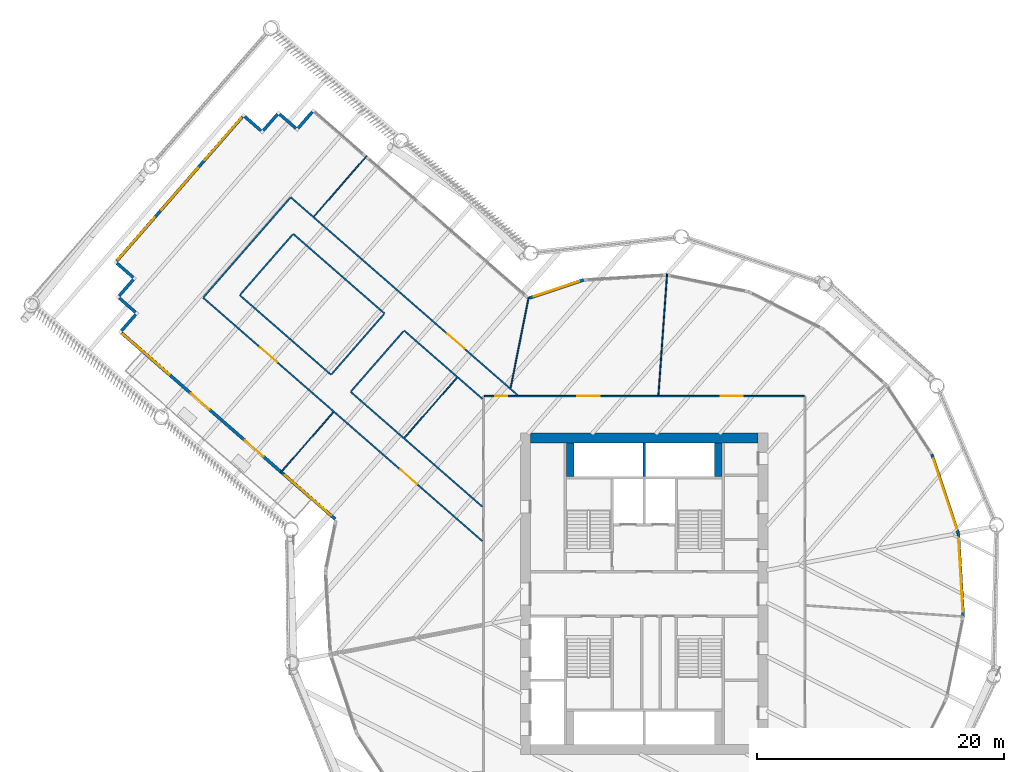
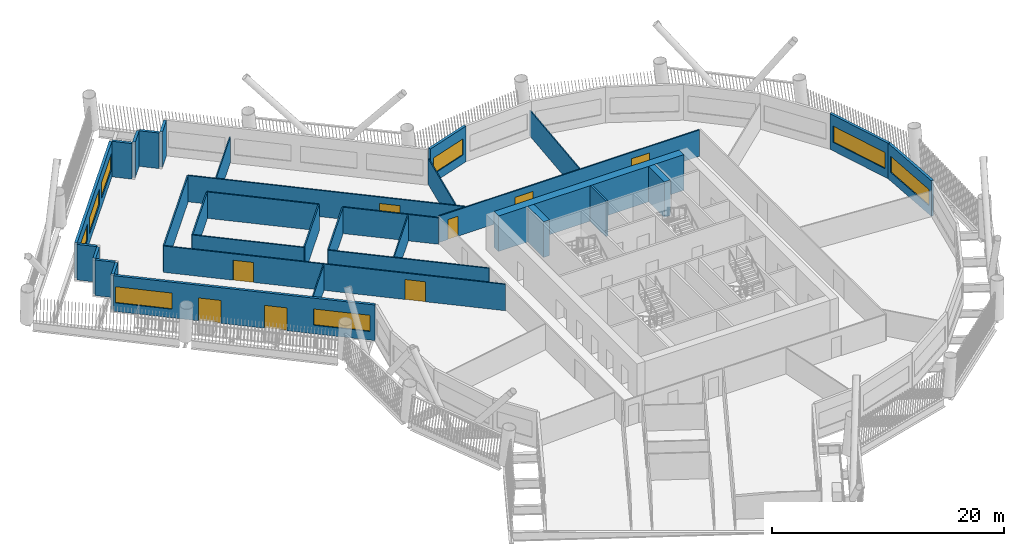
# One storey, part 6 of 21: 33 walls, 8 doors, 8 windows, 16 openings.
"""IFC4 building model written with IfcOpenShell, lengths in metres."""

from ifc_helpers import new_model, si_unit, direction, frame, frame_2d, origin, place, context, subcontext, project, spatial, rectangle, extrude, material, layer, layer_set, type_object, element, fill, save


model = new_model("IFC4")

# Units and contexts
model_context = context("Model", 3, precision=1e-05, world=origin(), true_north=direction((0.0, 1.0)))
body_context = subcontext(model_context, "Body", "Model", "MODEL_VIEW")
ifc_project = project(units=[si_unit("LENGTHUNIT", "METRE"), si_unit("AREAUNIT", "SQUARE_METRE"), si_unit("VOLUMEUNIT", "CUBIC_METRE"), si_unit("PLANEANGLEUNIT", "RADIAN"), si_unit("MASSUNIT", "GRAM", prefix="KILO")], contexts=[model_context])

# Site, building, storey
site_placement = place(None, origin())
site = spatial("IfcSite", under=ifc_project, at=site_placement, CompositionType="ELEMENT")
building_placement = place(site_placement, origin())
building = spatial("IfcBuilding", under=site, at=building_placement, Name="Tarsis Ring Headquarters", CompositionType="ELEMENT")
storey_placement = place(building_placement, frame((0.0, 0.0, 100.60009765625)))
storey = spatial("IfcBuildingStorey", under=building, at=storey_placement, Name="L22", CompositionType="ELEMENT", Elevation=100.60009765625)

# Walls
ifc_material_1 = material(Name="Concrete C60/75", Category="concrete")
ifc_layer_1 = layer(ifc_material_1, 0.800048828125)
ifc_layer_set_1 = layer_set([ifc_layer_1], Name="Core wall 800 C60/75")
wall_type_1 = type_object("IfcWallType", Name="Core wall 800 C60/75", PredefinedType="SHEAR", material=ifc_layer_set_1)
wall_1_placement = place(storey_placement, frame((-9.199951171875, 12.60009765625, 0.0), z_axis=(0.0, 0.0, 1.0), x_axis=(1.0, 0.0, 0.0)))
element("IfcWall", 1, at=wall_1_placement, inside=storey, type_object=wall_type_1, Name="Core wall ON", PredefinedType="SHEAR", context=body_context, shape_type="SweptSolid", body=[
    extrude(rectangle(XDim=18.39990234375, YDim=0.800048828125, at=frame_2d((9.199951171875, 0.0))), origin(), (0.0, 0.0, 1.0), 3.739990234375),
])
ifc_material_2 = material(Name="Gypsum board on steel studs", Category="steel")
ifc_layer_2 = layer(ifc_material_2, 0.10009765625)
ifc_layer_set_2 = layer_set([ifc_layer_2], Name="FL partition 100 unrated")
wall_type_2 = type_object("IfcWallType", Name="FL partition 100 unrated", PredefinedType="PARTITIONING", material=ifc_layer_set_2)
wall_2_placement = place(storey_placement, frame((1.146240234375, 16.06982421875, 0.0), z_axis=(0.0, 0.0, 1.0), x_axis=(0.07115357226, 0.997465372409, 0.0)))
element("IfcWall", 2, at=wall_2_placement, inside=storey, type_object=wall_type_2, Name="Partition PW3", PredefinedType="PARTITIONING", context=body_context, shape_type="SweptSolid", body=[
    extrude(rectangle(XDim=9.837158203125, YDim=0.10009765625, at=frame_2d((4.91845703125, 0.0))), origin(), (0.0, 0.0, 1.0), 2.699951171875),
])
wall_3_placement = place(storey_placement, frame((-10.813232421875, 16.682373046875, 0.0), z_axis=(0.0, 0.0, 1.0), x_axis=(0.196450786404, 0.980513686045, 0.0)))
element("IfcWall", 3, at=wall_3_placement, inside=storey, type_object=wall_type_2, Name="Partition PW3", PredefinedType="PARTITIONING", context=body_context, shape_type="SweptSolid", body=[
    extrude(rectangle(XDim=7.435302734375, YDim=0.10009765625, at=frame_2d((3.7177734375, 0.0))), origin(), (0.0, 0.0, 1.0), 2.699951171875),
])
wall_4_placement = place(storey_placement, frame((-19.392822265625, 12.6337890625, 0.0), z_axis=(0.0, 0.0, 1.0), x_axis=(0.657118631801, 0.753787174035, 0.0)))
element("IfcWall", 4, at=wall_4_placement, inside=storey, type_object=wall_type_2, Name="Partition PW3", PredefinedType="PARTITIONING", context=body_context, shape_type="SweptSolid", body=[
    extrude(rectangle(XDim=6.440185546875, YDim=0.10009765625, at=frame_2d((3.22021484375, 0.0))), origin(), (0.0, 0.0, 1.0), 2.699951171875),
])
for number, where, z_axis, x_axis, name in (
    (5, (-29.426025390625, 9.798583984375, 0.0), (0.0, 0.0, 1.0), (0.657094645574, 0.753808083505, 0.0), "Partition PW3"),
    (6, (-26.72216796875, 30.5380859375, 0.0), (0.0, 0.0, 1.0), (0.657094645574, 0.753808083505, 0.0), "Partition PW3"),
):
    element("IfcWall", number, at=place(storey_placement, frame(where, z_axis=z_axis, x_axis=x_axis)), inside=storey, type_object=wall_type_2, Name=name, PredefinedType="PARTITIONING", context=body_context, shape_type="SweptSolid", body=[
        extrude(rectangle(XDim=6.490234375, YDim=0.10009765625, at=frame_2d((3.2451171875, 0.0))), origin(), (0.0, 0.0, 1.0), 2.699951171875),
    ])

# Wall, openings, doors
ifc_layer_3 = layer(ifc_material_2, 0.125)
ifc_layer_set_3 = layer_set([ifc_layer_3], Name="FL partition 125 EI 60 H2770")
wall_type_3 = type_object("IfcWallType", Name="FL partition 125 EI 60 H2770", PredefinedType="PARTITIONING", material=ifc_layer_set_3)
wall_5_placement = place(storey_placement, frame((-35.691162109375, 23.962890625, 0.0), z_axis=(0.0, 0.0, 1.0), x_axis=(0.753792069029, -0.657113016664, 0.0)))
wall_5 = element("IfcWall", 7, at=wall_5_placement, inside=storey, type_object=wall_type_3, Name="Partition PW1", PredefinedType="PARTITIONING", context=body_context, shape_type="SweptSolid", body=[
    extrude(rectangle(XDim=29.982421875, YDim=0.125, at=frame_2d((14.9912109375, 0.0))), origin(), (0.0, 0.0, 1.0), 2.77001953125),
])
opening_1_placement = place(wall_5_placement, frame((6.114501953125, 0.0, 0.0)))
opening_1 = element("IfcOpeningElement", 8, at=opening_1_placement, cuts=wall_5, Name="Opening D22.01", PredefinedType="OPENING", context=body_context, shape_type="SweptSolid", body=[
    extrude(rectangle(XDim=1.800048828125, YDim=2.10009765625, at=frame_2d((0.89990234375, 1.050048828125))), frame((0.0, 0.072509765625, 0.0), z_axis=(0.0, -1.0, 0.0), x_axis=(1.0, 0.0, 0.0)), (0.0, 0.0, 1.0), 0.14501953125),
])
opening_2_placement = place(wall_5_placement, frame((21.165771484375, 0.0, 0.0)))
opening_2 = element("IfcOpeningElement", 9, at=opening_2_placement, cuts=wall_5, Name="Opening D22.13", PredefinedType="OPENING", context=body_context, shape_type="SweptSolid", body=[
    extrude(rectangle(XDim=1.800048828125, YDim=2.10009765625, at=frame_2d((0.89990234375, 1.050048828125))), frame((0.0, 0.072509765625, 0.0), z_axis=(0.0, -1.0, 0.0), x_axis=(1.0, 0.0, 0.0)), (0.0, 0.0, 1.0), 0.14501953125),
])
ifc_material_3 = material(Name="Fire-rated timber door leaf in steel frame", Category="steel")
door_type_1 = type_object("IfcDoorType", Name="FL door FD60-1800", OperationType="DOUBLE_DOOR_SINGLE_SWING", PredefinedType="DOOR", material=ifc_material_3)
door_1_placement = place(opening_1_placement, origin())
door_1 = element("IfcDoor", 10, at=door_1_placement, inside=storey, type_object=door_type_1, Name="Door D22.01", OperationType="DOUBLE_DOOR_SINGLE_SWING", OverallHeight=2.10009765625, OverallWidth=1.800048828125, PredefinedType="DOOR", context=body_context, shape_type="SweptSolid", body=[
    extrude(rectangle(XDim=1.800048828125, YDim=2.10009765625, at=frame_2d((0.89990234375, 1.050048828125))), frame((0.0, 0.02490234375, 0.0), z_axis=(0.0, -1.0, 0.0), x_axis=(1.0, 0.0, 0.0)), (0.0, 0.0, 1.0), 0.050048828125),
])
fill(opening_1, door_1)
door_2_placement = place(opening_2_placement, origin())
door_2 = element("IfcDoor", 11, at=door_2_placement, inside=storey, type_object=door_type_1, Name="Door D22.13", OperationType="DOUBLE_DOOR_SINGLE_SWING", OverallHeight=2.10009765625, OverallWidth=1.800048828125, PredefinedType="DOOR", context=body_context, shape_type="SweptSolid", body=[
    extrude(rectangle(XDim=1.800048828125, YDim=2.10009765625, at=frame_2d((0.89990234375, 1.050048828125))), frame((0.0, 0.02490234375, 0.0), z_axis=(0.0, -1.0, 0.0), x_axis=(1.0, 0.0, 0.0)), (0.0, 0.0, 1.0), 0.050048828125),
])
fill(opening_2, door_2)

wall_6_placement = place(storey_placement, frame((-12.93994140625, 16.0, 0.0), z_axis=(0.0, 0.0, 1.0), x_axis=(1.0, 0.0, 0.0)))
wall_6 = element("IfcWall", 12, at=wall_6_placement, inside=storey, type_object=wall_type_3, Name="Partition PW1", PredefinedType="PARTITIONING", context=body_context, shape_type="SweptSolid", body=[
    extrude(rectangle(XDim=25.8798828125, YDim=0.125, at=frame_2d((12.93994140625, 0.0))), origin(), (0.0, 0.0, 1.0), 2.77001953125),
])
opening_3_placement = place(wall_6_placement, frame((7.534912109375, 0.0, 0.0)))
opening_3 = element("IfcOpeningElement", 13, at=opening_3_placement, cuts=wall_6, Name="Opening D22.03", PredefinedType="OPENING", context=body_context, shape_type="SweptSolid", body=[
    extrude(rectangle(XDim=1.800048828125, YDim=2.10009765625, at=frame_2d((0.89990234375, 1.050048828125))), frame((0.0, 0.072509765625, 0.0), z_axis=(0.0, -1.0, 0.0), x_axis=(1.0, 0.0, 0.0)), (0.0, 0.0, 1.0), 0.14501953125),
])
opening_4_placement = place(wall_6_placement, frame((19.110595703125, 0.0, 0.0)))
opening_4 = element("IfcOpeningElement", 14, at=opening_4_placement, cuts=wall_6, Name="Opening D22.04", PredefinedType="OPENING", context=body_context, shape_type="SweptSolid", body=[
    extrude(rectangle(XDim=1.800048828125, YDim=2.10009765625, at=frame_2d((0.89990234375, 1.050048828125))), frame((0.0, 0.072509765625, 0.0), z_axis=(0.0, -1.0, 0.0), x_axis=(1.0, 0.0, 0.0)), (0.0, 0.0, 1.0), 0.14501953125),
])
opening_5_placement = place(wall_6_placement, frame((0.8642578125, 0.0, 0.0)))
opening_5 = element("IfcOpeningElement", 15, at=opening_5_placement, cuts=wall_6, Name="Opening D22.20", PredefinedType="OPENING", context=body_context, shape_type="SweptSolid", body=[
    extrude(rectangle(XDim=1.0, YDim=2.10009765625, at=frame_2d((0.5, 1.050048828125))), frame((0.0, 0.072509765625, 0.0), z_axis=(0.0, -1.0, 0.0), x_axis=(1.0, 0.0, 0.0)), (0.0, 0.0, 1.0), 0.14501953125),
])
door_type_2 = type_object("IfcDoorType", Name="FL door FD60-1000", OperationType="NOTDEFINED", PredefinedType="DOOR", material=ifc_material_3)
door_3_placement = place(opening_5_placement, origin())
door_3 = element("IfcDoor", 16, at=door_3_placement, inside=storey, type_object=door_type_2, Name="Door D22.20", OperationType="SINGLE_SWING_RIGHT", OverallHeight=2.10009765625, OverallWidth=1.0, PredefinedType="DOOR", context=body_context, shape_type="SweptSolid", body=[
    extrude(rectangle(XDim=1.0, YDim=2.10009765625, at=frame_2d((0.5, 1.050048828125))), frame((0.0, 0.02490234375, 0.0), z_axis=(0.0, -1.0, 0.0), x_axis=(1.0, 0.0, 0.0)), (0.0, 0.0, 1.0), 0.050048828125),
])
fill(opening_5, door_3)
door_4_placement = place(opening_3_placement, origin())
door_4 = element("IfcDoor", 17, at=door_4_placement, inside=storey, type_object=door_type_1, Name="Door D22.03", OperationType="DOUBLE_DOOR_SINGLE_SWING", OverallHeight=2.10009765625, OverallWidth=1.800048828125, PredefinedType="DOOR", context=body_context, shape_type="SweptSolid", body=[
    extrude(rectangle(XDim=1.800048828125, YDim=2.10009765625, at=frame_2d((0.89990234375, 1.050048828125))), frame((0.0, 0.02490234375, 0.0), z_axis=(0.0, -1.0, 0.0), x_axis=(1.0, 0.0, 0.0)), (0.0, 0.0, 1.0), 0.050048828125),
])
fill(opening_3, door_4)
door_5_placement = place(opening_4_placement, origin())
door_5 = element("IfcDoor", 18, at=door_5_placement, inside=storey, type_object=door_type_1, Name="Door D22.04", OperationType="DOUBLE_DOOR_SINGLE_SWING", OverallHeight=2.10009765625, OverallWidth=1.800048828125, PredefinedType="DOOR", context=body_context, shape_type="SweptSolid", body=[
    extrude(rectangle(XDim=1.800048828125, YDim=2.10009765625, at=frame_2d((0.89990234375, 1.050048828125))), frame((0.0, 0.02490234375, 0.0), z_axis=(0.0, -1.0, 0.0), x_axis=(1.0, 0.0, 0.0)), (0.0, 0.0, 1.0), 0.050048828125),
])
fill(opening_4, door_5)

# Wall, opening, door
wall_7_placement = place(storey_placement, frame((-28.607421875, 32.0888671875, 0.0), z_axis=(0.0, 0.0, 1.0), x_axis=(0.753791078896, -0.65711415247, 0.0)))
wall_7 = element("IfcWall", 19, at=wall_7_placement, inside=storey, type_object=wall_type_3, Name="Partition PW1", PredefinedType="PARTITIONING", context=body_context, shape_type="SweptSolid", body=[
    extrude(rectangle(XDim=24.333984375, YDim=0.125, at=frame_2d((12.1669921875, 0.0))), origin(), (0.0, 0.0, 1.0), 2.77001953125),
])
opening_6_placement = place(wall_7_placement, frame((16.839599609375, 0.0, 0.0)))
opening_6 = element("IfcOpeningElement", 20, at=opening_6_placement, cuts=wall_7, Name="Opening D22.02", PredefinedType="OPENING", context=body_context, shape_type="SweptSolid", body=[
    extrude(rectangle(XDim=1.800048828125, YDim=2.10009765625, at=frame_2d((0.89990234375, 1.050048828125))), frame((0.0, 0.072509765625, 0.0), z_axis=(0.0, -1.0, 0.0), x_axis=(1.0, 0.0, 0.0)), (0.0, 0.0, 1.0), 0.14501953125),
])
door_6_placement = place(opening_6_placement, origin())
door_6 = element("IfcDoor", 21, at=door_6_placement, inside=storey, type_object=door_type_1, Name="Door D22.02", OperationType="DOUBLE_DOOR_SINGLE_SWING", OverallHeight=2.10009765625, OverallWidth=1.800048828125, PredefinedType="DOOR", context=body_context, shape_type="SweptSolid", body=[
    extrude(rectangle(XDim=1.800048828125, YDim=2.10009765625, at=frame_2d((0.89990234375, 1.050048828125))), frame((0.0, 0.02490234375, 0.0), z_axis=(0.0, -1.0, 0.0), x_axis=(1.0, 0.0, 0.0)), (0.0, 0.0, 1.0), 0.050048828125),
])
fill(opening_6, door_6)

# Walls
wall_8_placement = place(storey_placement, frame((-23.758056640625, 16.34619140625, 0.0), z_axis=(0.0, 0.0, 1.0), x_axis=(0.753791572963, -0.657113585714, 0.0)))
element("IfcWall", 22, at=wall_8_placement, inside=storey, type_object=wall_type_3, Name="Partition PW1", PredefinedType="PARTITIONING", context=body_context, shape_type="SweptSolid", body=[
    extrude(rectangle(XDim=14.15185546875, YDim=0.125, at=frame_2d((7.075927734375, 0.0))), origin(), (0.0, 0.0, 1.0), 2.77001953125),
])
wall_9_placement = place(storey_placement, frame((-35.651611328125, 24.008056640625, 0.0), z_axis=(0.0, 0.0, 1.0), x_axis=(0.657104169451, 0.753799781434, 0.0)))
element("IfcWall", 23, at=wall_9_placement, inside=storey, type_object=wall_type_3, Name="Partition PW1", PredefinedType="PARTITIONING", context=body_context, shape_type="SweptSolid", body=[
    extrude(rectangle(XDim=10.659912109375, YDim=0.125, at=frame_2d((5.330078125, 0.0))), origin(), (0.0, 0.0, 1.0), 2.77001953125),
])
for number, where, z_axis, x_axis, name in (
    (24, (-32.728271484375, 24.166015625, 0.0), (0.0, 0.0, 1.0), (0.753794561436, -0.657110157545, 0.0), "Partition PW1"),
    (25, (-28.404296875, 29.1259765625, 0.0), (0.0, 0.0, 1.0), (0.753794561436, -0.657110157545, 0.0), "Partition PW1"),
):
    element("IfcWall", number, at=place(storey_placement, frame(where, z_axis=z_axis, x_axis=x_axis)), inside=storey, type_object=wall_type_3, Name=name, PredefinedType="PARTITIONING", context=body_context, shape_type="SweptSolid", body=[
        extrude(rectangle(XDim=9.800048828125, YDim=0.125, at=frame_2d((4.89990234375, 0.0))), origin(), (0.0, 0.0, 1.0), 2.77001953125),
    ])
wall_10_placement = place(storey_placement, frame((-19.434326171875, 21.30615234375, 0.0), z_axis=(0.0, 0.0, 1.0), x_axis=(0.753797415561, -0.657106883462, 0.0)))
element("IfcWall", 26, at=wall_10_placement, inside=storey, type_object=wall_type_3, Name="Partition PW1", PredefinedType="PARTITIONING", context=body_context, shape_type="SweptSolid", body=[
    extrude(rectangle(XDim=8.415771484375, YDim=0.125, at=frame_2d((4.2080078125, 0.0))), origin(), (0.0, 0.0, 1.0), 2.77001953125),
])
for number, where, z_axis, x_axis, name in (
    (27, (-32.688720703125, 24.211181640625, 0.0), (0.0, 0.0, 1.0), (0.65711482815, 0.753790489875, 0.0), "Partition PW1"),
    (28, (-25.301513671875, 17.771484375, 0.0), (0.0, 0.0, 1.0), (0.65711482815, 0.753790489875, 0.0), "Partition PW1"),
    (29, (-23.718505859375, 16.3916015625, 0.0), (0.0, 0.0, 1.0), (0.65711482815, 0.753790489875, 0.0), "Partition PW1"),
):
    element("IfcWall", number, at=place(storey_placement, frame(where, z_axis=z_axis, x_axis=x_axis)), inside=storey, type_object=wall_type_3, Name=name, PredefinedType="PARTITIONING", context=body_context, shape_type="SweptSolid", body=[
        extrude(rectangle(XDim=6.4599609375, YDim=0.125, at=frame_2d((3.22998046875, 0.0))), origin(), (0.0, 0.0, 1.0), 2.77001953125),
    ])

# Wall, openings, doors, windows
ifc_material_4 = material(Name="Terracotta clad insulated panel wall", Category="masonry")
ifc_layer_4 = layer(ifc_material_4, 0.25)
ifc_layer_set_4 = layer_set([ifc_layer_4], Name="Facade wall terracotta panel 250")
wall_type_4 = type_object("IfcWallType", Name="Facade wall terracotta panel 250", PredefinedType="STANDARD", material=ifc_layer_set_4)
wall_11_placement = place(storey_placement, frame((-42.289306640625, 21.111572265625, 0.0), z_axis=(0.0, 0.0, 1.0), x_axis=(0.753796673061, -0.657107735217, 0.0)))
wall_11 = element("IfcWall", 30, at=wall_11_placement, inside=storey, type_object=wall_type_4, Name="External wall L22-01", PredefinedType="STANDARD", context=body_context, shape_type="SweptSolid", body=[
    extrude(rectangle(XDim=22.922119140625, YDim=0.25, at=frame_2d((11.4609375, 0.0))), origin(), (0.0, 0.0, 1.0), 3.739990234375),
])
opening_7_placement = place(wall_11_placement, frame((0.17138671875, 0.0, 0.89990234375)))
opening_7 = element("IfcOpeningElement", 31, at=opening_7_placement, cuts=wall_11, Name="Opening WN05", PredefinedType="OPENING", context=body_context, shape_type="SweptSolid", body=[
    extrude(rectangle(XDim=4.949951171875, YDim=1.699951171875, at=frame_2d((2.47509765625, 0.85009765625))), frame((0.0, 0.135009765625, 0.0), z_axis=(0.0, -1.0, 0.0), x_axis=(1.0, 0.0, 0.0)), (0.0, 0.0, 1.0), 0.27001953125),
])
opening_8_placement = place(wall_11_placement, frame((7.439453125, 0.0, 0.0)))
opening_8 = element("IfcOpeningElement", 32, at=opening_8_placement, cuts=wall_11, Name="Opening L22-BD01", PredefinedType="OPENING", context=body_context, shape_type="SweptSolid", body=[
    extrude(rectangle(XDim=2.0, YDim=2.39990234375, at=frame_2d((1.0, 1.199951171875))), frame((0.0, 0.135009765625, 0.0), z_axis=(0.0, -1.0, 0.0), x_axis=(1.0, 0.0, 0.0)), (0.0, 0.0, 1.0), 0.27001953125),
])
opening_9_placement = place(wall_11_placement, frame((13.232421875, 0.0, 0.0)))
opening_9 = element("IfcOpeningElement", 33, at=opening_9_placement, cuts=wall_11, Name="Opening L22-BD02", PredefinedType="OPENING", context=body_context, shape_type="SweptSolid", body=[
    extrude(rectangle(XDim=2.0, YDim=2.39990234375, at=frame_2d((1.0, 1.199951171875))), frame((0.0, 0.135009765625, 0.0), z_axis=(0.0, -1.0, 0.0), x_axis=(1.0, 0.0, 0.0)), (0.0, 0.0, 1.0), 0.27001953125),
])
opening_10_placement = place(wall_11_placement, frame((17.550537109375, 0.0, 0.89990234375)))
opening_10 = element("IfcOpeningElement", 34, at=opening_10_placement, cuts=wall_11, Name="Opening WN05", PredefinedType="OPENING", context=body_context, shape_type="SweptSolid", body=[
    extrude(rectangle(XDim=4.949951171875, YDim=1.699951171875, at=frame_2d((2.47509765625, 0.85009765625))), frame((0.0, 0.135009765625, 0.0), z_axis=(0.0, -1.0, 0.0), x_axis=(1.0, 0.0, 0.0)), (0.0, 0.0, 1.0), 0.27001953125),
])
ifc_material_5 = material(Name="Aluminium framed double glazing", Category="aluminium")
door_type_3 = type_object("IfcDoorType", Name="Balcony sliding door 2000 x 2400", OperationType="SLIDING_TO_LEFT", PredefinedType="DOOR", material=ifc_material_5)
door_7_placement = place(opening_8_placement, origin())
door_7 = element("IfcDoor", 35, at=door_7_placement, inside=storey, type_object=door_type_3, Name="Door L22-BD01", OperationType="SINGLE_SWING_LEFT", OverallHeight=2.39990234375, OverallWidth=2.0, PredefinedType="DOOR", context=body_context, shape_type="SweptSolid", body=[
    extrude(rectangle(XDim=2.0, YDim=2.39990234375, at=frame_2d((1.0, 1.199951171875))), frame((0.0, 0.02490234375, 0.0), z_axis=(0.0, -1.0, 0.0), x_axis=(1.0, 0.0, 0.0)), (0.0, 0.0, 1.0), 0.050048828125),
])
fill(opening_8, door_7)
door_8_placement = place(opening_9_placement, origin())
door_8 = element("IfcDoor", 36, at=door_8_placement, inside=storey, type_object=door_type_3, Name="Door L22-BD02", OperationType="SINGLE_SWING_LEFT", OverallHeight=2.39990234375, OverallWidth=2.0, PredefinedType="DOOR", context=body_context, shape_type="SweptSolid", body=[
    extrude(rectangle(XDim=2.0, YDim=2.39990234375, at=frame_2d((1.0, 1.199951171875))), frame((0.0, 0.02490234375, 0.0), z_axis=(0.0, -1.0, 0.0), x_axis=(1.0, 0.0, 0.0)), (0.0, 0.0, 1.0), 0.050048828125),
])
fill(opening_9, door_8)
window_type_1 = type_object("IfcWindowType", Name="Facade window 4950 x 1700", PartitioningType="SINGLE_PANEL", PredefinedType="WINDOW", material=ifc_material_5)
window_1_placement = place(opening_7_placement, origin())
window_1 = element("IfcWindow", 37, at=window_1_placement, inside=storey, type_object=window_type_1, Name="Window L22-01.1", OverallHeight=1.699951171875, OverallWidth=4.949951171875, PartitioningType="SINGLE_PANEL", PredefinedType="WINDOW", context=body_context, shape_type="SweptSolid", body=[
    extrude(rectangle(XDim=4.949951171875, YDim=1.699951171875, at=frame_2d((2.47509765625, 0.85009765625))), frame((0.0, 0.030029296875, 0.0), z_axis=(0.0, -1.0, 0.0), x_axis=(1.0, 0.0, 0.0)), (0.0, 0.0, 1.0), 0.06005859375),
])
fill(opening_7, window_1)
window_2_placement = place(opening_10_placement, origin())
window_2 = element("IfcWindow", 38, at=window_2_placement, inside=storey, type_object=window_type_1, Name="Window L22-01.4", OverallHeight=1.699951171875, OverallWidth=4.949951171875, PartitioningType="SINGLE_PANEL", PredefinedType="WINDOW", context=body_context, shape_type="SweptSolid", body=[
    extrude(rectangle(XDim=4.949951171875, YDim=1.699951171875, at=frame_2d((2.47509765625, 0.85009765625))), frame((0.0, 0.030029296875, 0.0), z_axis=(0.0, -1.0, 0.0), x_axis=(1.0, 0.0, 0.0)), (0.0, 0.0, 1.0), 0.06005859375),
])
fill(opening_10, window_2)

# Wall, opening, window
wall_12_placement = place(storey_placement, frame((25.807373046875, -1.824462890625, 0.0), z_axis=(0.0, 0.0, 1.0), x_axis=(-0.059641837535, 0.998219841125, 0.0)))
wall_12 = element("IfcWall", 39, at=wall_12_placement, inside=storey, type_object=wall_type_4, Name="External wall L22-23", PredefinedType="STANDARD", context=body_context, shape_type="SweptSolid", body=[
    extrude(rectangle(XDim=6.721435546875, YDim=0.25, at=frame_2d((3.36083984375, 0.0))), origin(), (0.0, 0.0, 1.0), 3.739990234375),
])
opening_11_placement = place(wall_12_placement, frame((0.3857421875, 0.0, 0.89990234375)))
opening_11 = element("IfcOpeningElement", 40, at=opening_11_placement, cuts=wall_12, Name="Opening WN07", PredefinedType="OPENING", context=body_context, shape_type="SweptSolid", body=[
    extrude(rectangle(XDim=5.949951171875, YDim=1.699951171875, at=frame_2d((2.97509765625, 0.85009765625))), frame((0.0, 0.135009765625, 0.0), z_axis=(0.0, -1.0, 0.0), x_axis=(1.0, 0.0, 0.0)), (0.0, 0.0, 1.0), 0.27001953125),
])
window_type_2 = type_object("IfcWindowType", Name="Facade window 5950 x 1700", PartitioningType="SINGLE_PANEL", PredefinedType="WINDOW", material=ifc_material_5)
window_3_placement = place(opening_11_placement, origin())
window_3 = element("IfcWindow", 41, at=window_3_placement, inside=storey, type_object=window_type_2, Name="Window L22-23.1", OverallHeight=1.699951171875, OverallWidth=5.949951171875, PartitioningType="SINGLE_PANEL", PredefinedType="WINDOW", context=body_context, shape_type="SweptSolid", body=[
    extrude(rectangle(XDim=5.949951171875, YDim=1.699951171875, at=frame_2d((2.97509765625, 0.85009765625))), frame((0.0, 0.030029296875, 0.0), z_axis=(0.0, -1.0, 0.0), x_axis=(1.0, 0.0, 0.0)), (0.0, 0.0, 1.0), 0.06005859375),
])
fill(opening_11, window_3)

wall_13_placement = place(storey_placement, frame((25.400146484375, 4.917236328125, 0.0), z_axis=(0.0, 0.0, 1.0), x_axis=(-0.315977123627, 0.948766808728, 0.0)))
wall_13 = element("IfcWall", 42, at=wall_13_placement, inside=storey, type_object=wall_type_4, Name="External wall L22-24", PredefinedType="STANDARD", context=body_context, shape_type="SweptSolid", body=[
    extrude(rectangle(XDim=6.72119140625, YDim=0.25, at=frame_2d((3.360595703125, 0.0))), origin(), (0.0, 0.0, 1.0), 3.739990234375),
])
opening_12_placement = place(wall_13_placement, frame((0.3857421875, 0.0, 0.89990234375)))
opening_12 = element("IfcOpeningElement", 43, at=opening_12_placement, cuts=wall_13, Name="Opening WN07", PredefinedType="OPENING", context=body_context, shape_type="SweptSolid", body=[
    extrude(rectangle(XDim=5.949951171875, YDim=1.699951171875, at=frame_2d((2.97509765625, 0.85009765625))), frame((0.0, 0.135009765625, 0.0), z_axis=(0.0, -1.0, 0.0), x_axis=(1.0, 0.0, 0.0)), (0.0, 0.0, 1.0), 0.27001953125),
])
window_4_placement = place(opening_12_placement, origin())
window_4 = element("IfcWindow", 44, at=window_4_placement, inside=storey, type_object=window_type_2, Name="Window L22-24.1", OverallHeight=1.699951171875, OverallWidth=5.949951171875, PartitioningType="SINGLE_PANEL", PredefinedType="WINDOW", context=body_context, shape_type="SweptSolid", body=[
    extrude(rectangle(XDim=5.949951171875, YDim=1.699951171875, at=frame_2d((2.97509765625, 0.85009765625))), frame((0.0, 0.030029296875, 0.0), z_axis=(0.0, -1.0, 0.0), x_axis=(1.0, 0.0, 0.0)), (0.0, 0.0, 1.0), 0.06005859375),
])
fill(opening_12, window_4)

wall_14_placement = place(storey_placement, frame((-4.917236328125, 25.400146484375, 0.0), z_axis=(0.0, 0.0, 1.0), x_axis=(-0.948773140719, -0.315958110278, 0.0)))
wall_14 = element("IfcWall", 45, at=wall_14_placement, inside=storey, type_object=wall_type_4, Name="External wall L22-30", PredefinedType="STANDARD", context=body_context, shape_type="SweptSolid", body=[
    extrude(rectangle(XDim=4.61767578125, YDim=0.25, at=frame_2d((2.308837890625, 0.0))), origin(), (0.0, 0.0, 1.0), 3.739990234375),
])
opening_13_placement = place(wall_14_placement, frame((0.367431640625, 0.0, 0.89990234375)))
opening_13 = element("IfcOpeningElement", 46, at=opening_13_placement, cuts=wall_14, Name="Opening WN02", PredefinedType="OPENING", context=body_context, shape_type="SweptSolid", body=[
    extrude(rectangle(XDim=3.85009765625, YDim=1.699951171875, at=frame_2d((1.925048828125, 0.85009765625))), frame((0.0, 0.135009765625, 0.0), z_axis=(0.0, -1.0, 0.0), x_axis=(1.0, 0.0, 0.0)), (0.0, 0.0, 1.0), 0.27001953125),
])
window_type_3 = type_object("IfcWindowType", Name="Facade window 3850 x 1700", PartitioningType="SINGLE_PANEL", PredefinedType="WINDOW", material=ifc_material_5)
window_5_placement = place(opening_13_placement, origin())
window_5 = element("IfcWindow", 47, at=window_5_placement, inside=storey, type_object=window_type_3, Name="Window L22-30.1", OverallHeight=1.699951171875, OverallWidth=3.85009765625, PartitioningType="SINGLE_PANEL", PredefinedType="WINDOW", context=body_context, shape_type="SweptSolid", body=[
    extrude(rectangle(XDim=3.85009765625, YDim=1.699951171875, at=frame_2d((1.925048828125, 0.85009765625))), frame((0.0, 0.030029296875, 0.0), z_axis=(0.0, -1.0, 0.0), x_axis=(1.0, 0.0, 0.0)), (0.0, 0.0, 1.0), 0.06005859375),
])
fill(opening_13, window_5)

# Walls
for number, where, z_axis, x_axis, name in (
    (48, (-26.859130859375, 39.002197265625, 0.0), (0.0, 0.0, 1.0), (-0.657041709481, -0.753854224636, 0.0), "External wall L22-32"),
    (49, (-28.185546875, 37.6708984375, 0.0), (0.0, 0.0, 1.0), (-0.753793992756, 0.657110809898, 0.0), "External wall L22-33"),
):
    element("IfcWall", number, at=place(storey_placement, frame(where, z_axis=z_axis, x_axis=x_axis)), inside=storey, type_object=wall_type_4, Name=name, PredefinedType="STANDARD", context=body_context, shape_type="SweptSolid", body=[
        extrude(rectangle(XDim=1.75, YDim=0.25, at=frame_2d((0.875, 0.0))), origin(), (0.0, 0.0, 1.0), 3.739990234375),
    ])
wall_15_placement = place(storey_placement, frame((-29.680908203125, 38.808837890625, 0.0), z_axis=(0.0, 0.0, 1.0), x_axis=(-0.657120975505, -0.753785130891, 0.0)))
element("IfcWall", 50, at=wall_15_placement, inside=storey, type_object=wall_type_4, Name="External wall L22-34", PredefinedType="STANDARD", context=body_context, shape_type="SweptSolid", body=[
    extrude(rectangle(XDim=1.750244140625, YDim=0.25, at=frame_2d((0.875, 0.0))), origin(), (0.0, 0.0, 1.0), 3.739990234375),
])
wall_16_placement = place(storey_placement, frame((-31.00732421875, 37.4775390625, 0.0), z_axis=(0.0, 0.0, 1.0), x_axis=(-0.753793992756, 0.657110809898, 0.0)))
element("IfcWall", 51, at=wall_16_placement, inside=storey, type_object=wall_type_4, Name="External wall L22-35", PredefinedType="STANDARD", context=body_context, shape_type="SweptSolid", body=[
    extrude(rectangle(XDim=1.75, YDim=0.25, at=frame_2d((0.875, 0.0))), origin(), (0.0, 0.0, 1.0), 3.739990234375),
])

# Wall, openings, windows
wall_17_placement = place(storey_placement, frame((-32.502685546875, 38.615478515625, 0.0), z_axis=(0.0, 0.0, 1.0), x_axis=(-0.657112941738, -0.753792134345, 0.0)))
wall_17 = element("IfcWall", 52, at=wall_17_placement, inside=storey, type_object=wall_type_4, Name="External wall L22-36", PredefinedType="STANDARD", context=body_context, shape_type="SweptSolid", body=[
    extrude(rectangle(XDim=15.5, YDim=0.25, at=frame_2d((7.75, 0.0))), origin(), (0.0, 0.0, 1.0), 3.739990234375),
])
opening_14_placement = place(wall_17_placement, frame((0.166748046875, 0.0, 0.89990234375)))
opening_14 = element("IfcOpeningElement", 53, at=opening_14_placement, cuts=wall_17, Name="Opening WN04", PredefinedType="OPENING", context=body_context, shape_type="SweptSolid", body=[
    extrude(rectangle(XDim=4.5, YDim=1.699951171875, at=frame_2d((2.25, 0.85009765625))), frame((0.0, 0.135009765625, 0.0), z_axis=(0.0, -1.0, 0.0), x_axis=(1.0, 0.0, 0.0)), (0.0, 0.0, 1.0), 0.27001953125),
])
opening_15_placement = place(wall_17_placement, frame((5.5, 0.0, 0.89990234375)))
opening_15 = element("IfcOpeningElement", 54, at=opening_15_placement, cuts=wall_17, Name="Opening WN04", PredefinedType="OPENING", context=body_context, shape_type="SweptSolid", body=[
    extrude(rectangle(XDim=4.5, YDim=1.699951171875, at=frame_2d((2.25, 0.85009765625))), frame((0.0, 0.135009765625, 0.0), z_axis=(0.0, -1.0, 0.0), x_axis=(1.0, 0.0, 0.0)), (0.0, 0.0, 1.0), 0.27001953125),
])
opening_16_placement = place(wall_17_placement, frame((10.833251953125, 0.0, 0.89990234375)))
opening_16 = element("IfcOpeningElement", 55, at=opening_16_placement, cuts=wall_17, Name="Opening WN04", PredefinedType="OPENING", context=body_context, shape_type="SweptSolid", body=[
    extrude(rectangle(XDim=4.5, YDim=1.699951171875, at=frame_2d((2.25, 0.85009765625))), frame((0.0, 0.135009765625, 0.0), z_axis=(0.0, -1.0, 0.0), x_axis=(1.0, 0.0, 0.0)), (0.0, 0.0, 1.0), 0.27001953125),
])
window_type_4 = type_object("IfcWindowType", Name="Facade window 4500 x 1700", PartitioningType="SINGLE_PANEL", PredefinedType="WINDOW", material=ifc_material_5)
window_6_placement = place(opening_14_placement, origin())
window_6 = element("IfcWindow", 56, at=window_6_placement, inside=storey, type_object=window_type_4, Name="Window L22-36.1", OverallHeight=1.699951171875, OverallWidth=4.5, PartitioningType="SINGLE_PANEL", PredefinedType="WINDOW", context=body_context, shape_type="SweptSolid", body=[
    extrude(rectangle(XDim=4.5, YDim=1.699951171875, at=frame_2d((2.25, 0.85009765625))), frame((0.0, 0.030029296875, 0.0), z_axis=(0.0, -1.0, 0.0), x_axis=(1.0, 0.0, 0.0)), (0.0, 0.0, 1.0), 0.06005859375),
])
fill(opening_14, window_6)
window_7_placement = place(opening_15_placement, origin())
window_7 = element("IfcWindow", 57, at=window_7_placement, inside=storey, type_object=window_type_4, Name="Window L22-36.2", OverallHeight=1.699951171875, OverallWidth=4.5, PartitioningType="SINGLE_PANEL", PredefinedType="WINDOW", context=body_context, shape_type="SweptSolid", body=[
    extrude(rectangle(XDim=4.5, YDim=1.699951171875, at=frame_2d((2.25, 0.85009765625))), frame((0.0, 0.030029296875, 0.0), z_axis=(0.0, -1.0, 0.0), x_axis=(1.0, 0.0, 0.0)), (0.0, 0.0, 1.0), 0.06005859375),
])
fill(opening_15, window_7)
window_8_placement = place(opening_16_placement, origin())
window_8 = element("IfcWindow", 58, at=window_8_placement, inside=storey, type_object=window_type_4, Name="Window L22-36.3", OverallHeight=1.699951171875, OverallWidth=4.5, PartitioningType="SINGLE_PANEL", PredefinedType="WINDOW", context=body_context, shape_type="SweptSolid", body=[
    extrude(rectangle(XDim=4.5, YDim=1.699951171875, at=frame_2d((2.25, 0.85009765625))), frame((0.0, 0.030029296875, 0.0), z_axis=(0.0, -1.0, 0.0), x_axis=(1.0, 0.0, 0.0)), (0.0, 0.0, 1.0), 0.06005859375),
])
fill(opening_16, window_8)

# Walls
for number, where, z_axis, x_axis, name in (
    (59, (-42.676025390625, 26.755126953125, 0.0), (0.0, 0.0, 1.0), (0.753793992756, -0.657110809898, 0.0), "External wall L22-37"),
    (60, (-41.3447265625, 25.428955078125, 0.0), (0.0, 0.0, 1.0), (-0.657110809898, -0.753793992756, 0.0), "External wall L22-38"),
    (61, (-42.482666015625, 23.933349609375, 0.0), (0.0, 0.0, 1.0), (0.753854224636, -0.657041709481, 0.0), "External wall L22-39"),
    (62, (-41.1513671875, 22.607177734375, 0.0), (0.0, 0.0, 1.0), (-0.657041709481, -0.753854224636, 0.0), "External wall L22-40"),
):
    element("IfcWall", number, at=place(storey_placement, frame(where, z_axis=z_axis, x_axis=x_axis)), inside=storey, type_object=wall_type_4, Name=name, PredefinedType="STANDARD", context=body_context, shape_type="SweptSolid", body=[
        extrude(rectangle(XDim=1.75, YDim=0.25, at=frame_2d((0.875, 0.0))), origin(), (0.0, 0.0, 1.0), 3.739990234375),
    ])
ifc_material_6 = material(Name="Concrete C32/40", Category="concrete")
ifc_layer_5 = layer(ifc_material_6, 0.60009765625)
ifc_layer_set_5 = layer_set([ifc_layer_5], Name="Shaft end wall 600 C32/40")
wall_type_5 = type_object("IfcWallType", Name="Shaft end wall 600 C32/40", PredefinedType="SOLIDWALL", material=ifc_layer_set_5)
for number, where, z_axis, x_axis, name in (
    (63, (-6.0, 9.5, 0.0), (0.0, 0.0, 1.0), (0.0, 1.0, 0.0), "Core shaft wall NNE1"),
    (64, (6.0, 9.5, 0.0), (0.0, 0.0, 1.0), (0.0, 1.0, 0.0), "Core shaft wall NNE2"),
):
    element("IfcWall", number, at=place(storey_placement, frame(where, z_axis=z_axis, x_axis=x_axis)), inside=storey, type_object=wall_type_5, Name=name, PredefinedType="SOLIDWALL", context=body_context, shape_type="SweptSolid", body=[
        extrude(rectangle(XDim=2.699951171875, YDim=0.60009765625, at=frame_2d((1.35009765625, 0.0))), origin(), (0.0, 0.0, 1.0), 3.739990234375),
    ])
ifc_layer_6 = layer(ifc_material_6, 0.199951171875)
ifc_layer_set_6 = layer_set([ifc_layer_6], Name="Shaft wall 200 C32/40")
wall_type_6 = type_object("IfcWallType", Name="Shaft wall 200 C32/40", PredefinedType="SOLIDWALL", material=ifc_layer_set_6)
wall_18_placement = place(storey_placement, frame((0.0, 9.5, 0.0), z_axis=(0.0, 0.0, 1.0), x_axis=(0.0, 1.0, 0.0)))
element("IfcWall", 65, at=wall_18_placement, inside=storey, type_object=wall_type_6, Name="Core shaft wall ND2", PredefinedType="SOLIDWALL", context=body_context, shape_type="SweptSolid", body=[
    extrude(rectangle(XDim=2.699951171875, YDim=0.199951171875, at=frame_2d((1.35009765625, 0.0))), origin(), (0.0, 0.0, 1.0), 3.739990234375),
])

save(model, "model.ifc")
